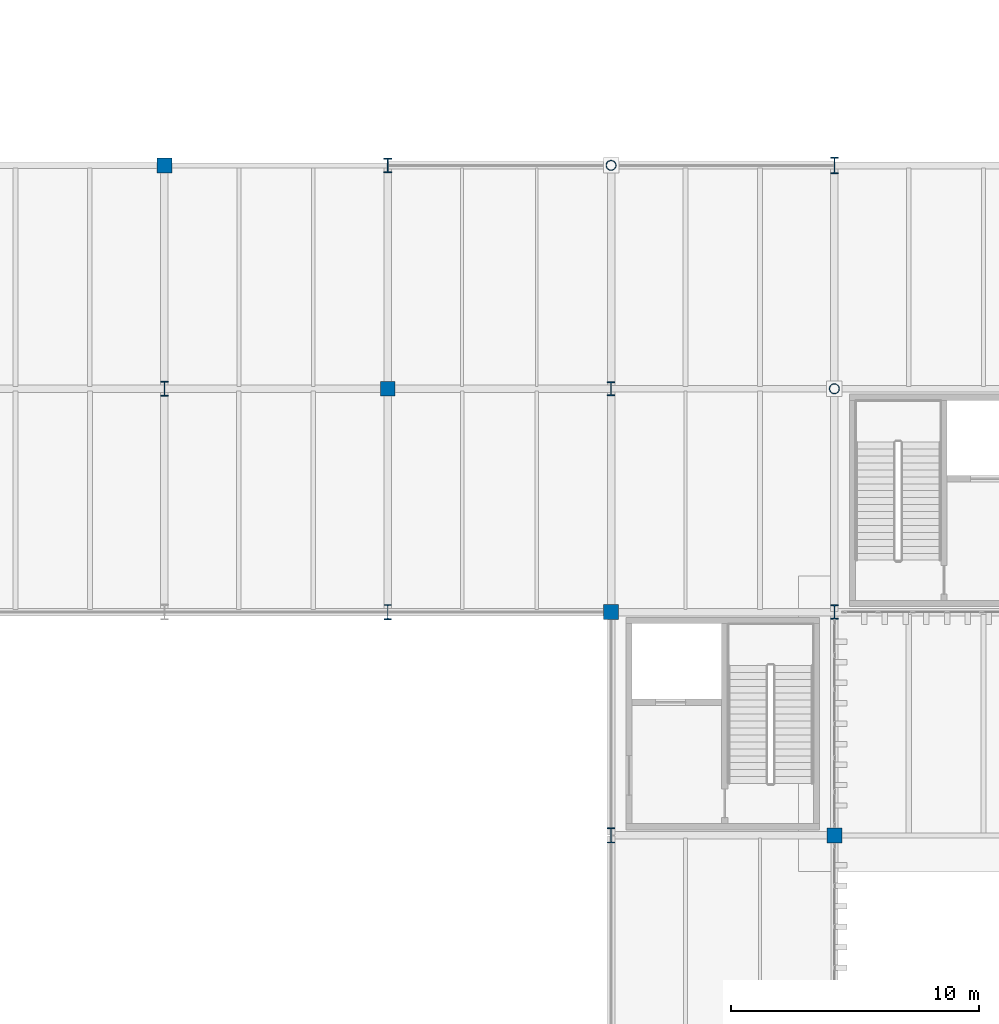
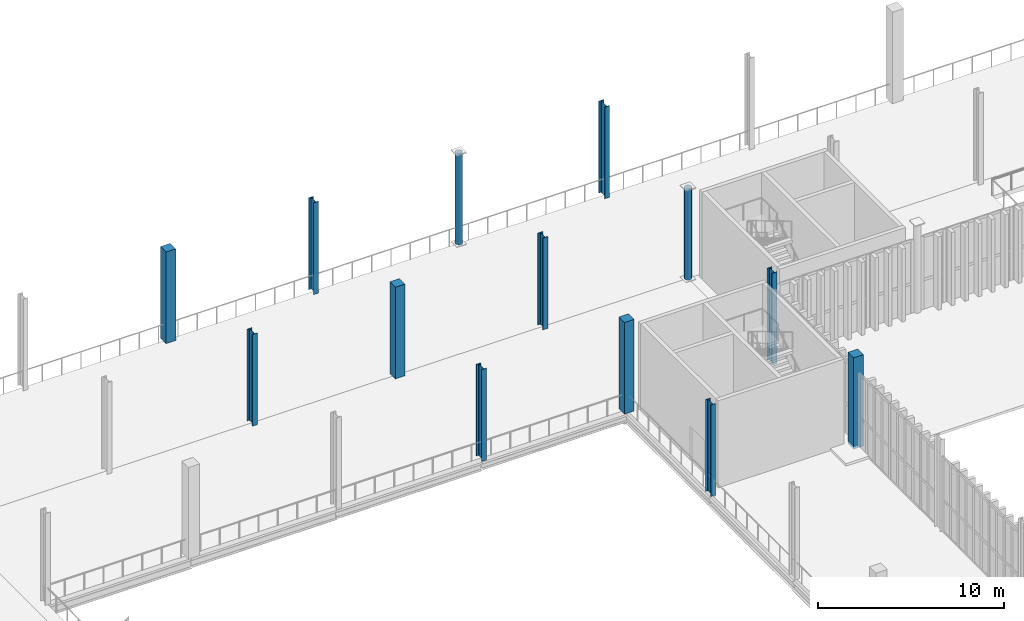
# One storey, part 4 of 211: 13 columns.
"""IFC4 building model written with IfcOpenShell, lengths in metres."""

from ifc_helpers import new_model, si_unit, direction, frame, origin, origin_2d, place, context, subcontext, project, spatial, rectangle, hollow_circle, i_section, extrude, material, material_profile, profile_set, type_object, element, save


model = new_model("IFC4")

# Units and contexts
model_context = context("Model", 3, precision=1e-05, world=origin(), true_north=direction((0.0, 1.0)))
body_context = subcontext(model_context, "Body", "Model", "MODEL_VIEW")
ifc_project = project(units=[si_unit("LENGTHUNIT", "METRE"), si_unit("AREAUNIT", "SQUARE_METRE"), si_unit("VOLUMEUNIT", "CUBIC_METRE"), si_unit("PLANEANGLEUNIT", "RADIAN"), si_unit("MASSUNIT", "GRAM", prefix="KILO")], contexts=[model_context])

# Site, building, storey
site_placement = place(None, origin())
site = spatial("IfcSite", under=ifc_project, at=site_placement, CompositionType="ELEMENT")
building_placement = place(site_placement, origin())
building = spatial("IfcBuilding", under=site, at=building_placement, Name="Barlavento Convention Centre", CompositionType="ELEMENT")
storey_placement = place(building_placement, frame((0.0, 0.0, 6.0)))
storey = spatial("IfcBuildingStorey", under=building, at=storey_placement, Name="L01", CompositionType="ELEMENT", Elevation=6.0)

# Columns
ifc_material_1 = material(Name="Steel S355", Category="steel")
ifc_material_profile_1 = material_profile(ifc_material_1, hollow_circle(Radius=0.203125, WallThickness=0.01611328125, at=origin_2d()), Name="CHS 406.4x16.0")
ifc_profile_set_1 = profile_set([ifc_material_profile_1], Name="Steel S355")
column_type_1 = type_object("IfcColumnType", Name="STR-COL-CHS406", PredefinedType="COLUMN", material=ifc_profile_set_1)
for number, where, z_axis, x_axis, name in (
    (1, (54.0, 63.0, 0.0), (0.0, 0.0, 1.0), (1.0, 0.0, 0.0), "L01 column SC14"),
    (2, (63.0, 54.0, 0.0), (0.0, 0.0, 1.0), (1.0, 0.0, 0.0), "L01 column SC14"),
):
    element("IfcColumn", number, at=place(storey_placement, frame(where, z_axis=z_axis, x_axis=x_axis)), inside=storey, type_object=column_type_1, Name=name, PredefinedType="COLUMN", context=body_context, shape_type="SweptSolid", body=[
        extrude(hollow_circle(Radius=0.203125, WallThickness=0.01611328125, at=origin_2d()), origin(), (0.0, 0.0, 1.0), 6.0),
    ])
ifc_material_profile_2 = material_profile(ifc_material_1, i_section(OverallWidth=0.300048828125, OverallDepth=0.60009765625, WebThickness=0.015380859375, FlangeThickness=0.030029296875, FilletRadius=0.027099609375, at=origin_2d()), Name="HEB 600")
ifc_profile_set_2 = profile_set([ifc_material_profile_2], Name="Steel S355")
column_type_2 = type_object("IfcColumnType", Name="STR-COL-HEB600", PredefinedType="COLUMN", material=ifc_profile_set_2)
for number, where, z_axis, x_axis, name in (
    (3, (36.0, 54.0, 0.0), (0.0, 0.0, 1.0), (1.0, 0.0, 0.0), "L01 column SC08"),
    (4, (45.0, 45.0, 0.0), (0.0, 0.0, 1.0), (1.0, 0.0, 0.0), "L01 column SC08"),
    (5, (54.0, 36.0, 0.0), (0.0, 0.0, 1.0), (1.0, 0.0, 0.0), "L01 column SC08"),
):
    element("IfcColumn", number, at=place(storey_placement, frame(where, z_axis=z_axis, x_axis=x_axis)), inside=storey, type_object=column_type_2, Name=name, PredefinedType="COLUMN", context=body_context, shape_type="SweptSolid", body=[
        extrude(i_section(OverallWidth=0.300048828125, OverallDepth=0.60009765625, WebThickness=0.015380859375, FlangeThickness=0.030029296875, FilletRadius=0.027099609375, at=origin_2d()), origin(), (0.0, 0.0, 1.0), 6.0),
    ])
ifc_material_profile_3 = material_profile(ifc_material_1, i_section(OverallWidth=0.305908203125, OverallDepth=0.572021484375, WebThickness=0.02099609375, FlangeThickness=0.0400390625, FilletRadius=0.027099609375, at=origin_2d()), Name="HEM 550")
ifc_profile_set_3 = profile_set([ifc_material_profile_3], Name="Steel S355")
column_type_3 = type_object("IfcColumnType", Name="STR-COL-HEM550", PredefinedType="COLUMN", material=ifc_profile_set_3)
for number, where, z_axis, x_axis, name in (
    (6, (45.0, 63.0, 0.0), (0.0, 0.0, 1.0), (1.0, 0.0, 0.0), "L01 column SC06"),
    (7, (54.0, 54.0, 0.0), (0.0, 0.0, 1.0), (1.0, 0.0, 0.0), "L01 column SC06"),
    (8, (63.0, 45.0, 0.0), (0.0, 0.0, 1.0), (1.0, 0.0, 0.0), "L01 column SC06"),
):
    element("IfcColumn", number, at=place(storey_placement, frame(where, z_axis=z_axis, x_axis=x_axis)), inside=storey, type_object=column_type_3, Name=name, PredefinedType="COLUMN", context=body_context, shape_type="SweptSolid", body=[
        extrude(i_section(OverallWidth=0.305908203125, OverallDepth=0.572021484375, WebThickness=0.02099609375, FlangeThickness=0.0400390625, FilletRadius=0.027099609375, at=origin_2d()), origin(), (0.0, 0.0, 1.0), 6.0),
    ])
ifc_material_2 = material(Name="Steel S460", Category="steel")
ifc_material_profile_4 = material_profile(ifc_material_2, i_section(OverallWidth=0.304931640625, OverallDepth=0.66796875, WebThickness=0.02099609375, FlangeThickness=0.0400390625, FilletRadius=0.027099609375, at=origin_2d()), Name="HEM 650")
ifc_profile_set_4 = profile_set([ifc_material_profile_4], Name="Steel S460")
column_type_4 = type_object("IfcColumnType", Name="STR-COL-HEM650", PredefinedType="COLUMN", material=ifc_profile_set_4)
column_placement = place(storey_placement, frame((63.0, 63.0, 0.0), z_axis=(0.0, 0.0, 1.0), x_axis=(1.0, 0.0, 0.0)))
element("IfcColumn", 9, at=column_placement, inside=storey, type_object=column_type_4, Name="L01 column SC04", PredefinedType="COLUMN", context=body_context, shape_type="SweptSolid", body=[
    extrude(i_section(OverallWidth=0.304931640625, OverallDepth=0.66796875, WebThickness=0.02099609375, FlangeThickness=0.0400390625, FilletRadius=0.027099609375, at=origin_2d()), origin(), (0.0, 0.0, 1.0), 6.0),
])
ifc_material_3 = material(Name="Concrete C40/50", Category="concrete")
ifc_material_profile_5 = material_profile(ifc_material_3, rectangle(XDim=0.60009765625, YDim=0.60009765625, at=origin_2d()), Name="RC 600x600")
ifc_profile_set_5 = profile_set([ifc_material_profile_5], Name="Concrete C40/50")
column_type_5 = type_object("IfcColumnType", Name="STR-COL-RC600", PredefinedType="COLUMN", material=ifc_profile_set_5)
for number, where, z_axis, x_axis, name in (
    (10, (36.0, 63.0, 0.0), (0.0, 0.0, 1.0), (1.0, 0.0, 0.0), "L01 column CC07"),
    (11, (45.0, 54.0, 0.0), (0.0, 0.0, 1.0), (1.0, 0.0, 0.0), "L01 column CC07"),
    (12, (54.0, 45.0, 0.0), (0.0, 0.0, 1.0), (1.0, 0.0, 0.0), "L01 column CC07"),
    (13, (63.0, 36.0, 0.0), (0.0, 0.0, 1.0), (1.0, 0.0, 0.0), "L01 column CC07"),
):
    element("IfcColumn", number, at=place(storey_placement, frame(where, z_axis=z_axis, x_axis=x_axis)), inside=storey, type_object=column_type_5, Name=name, PredefinedType="COLUMN", context=body_context, shape_type="SweptSolid", body=[
        extrude(rectangle(XDim=0.60009765625, YDim=0.60009765625, at=origin_2d()), origin(), (0.0, 0.0, 1.0), 6.0),
    ])

save(model, "model.ifc")
